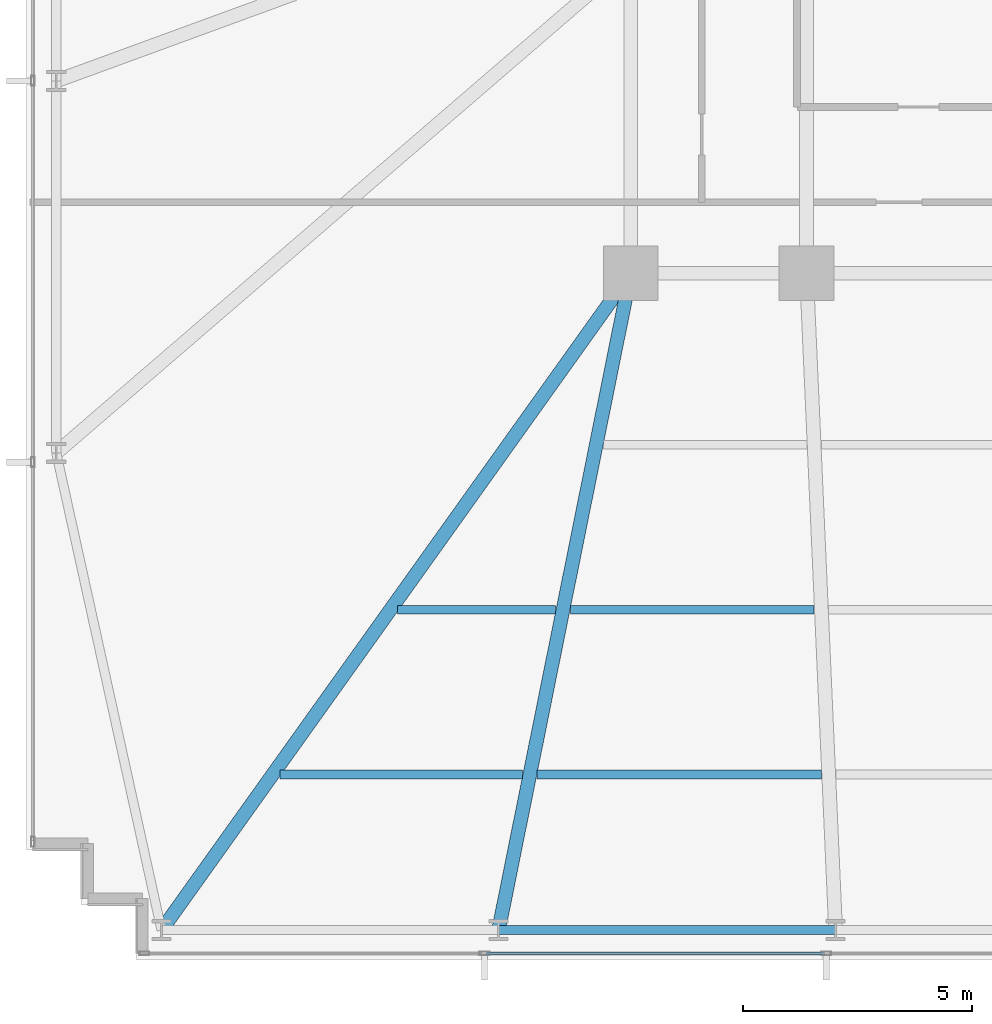
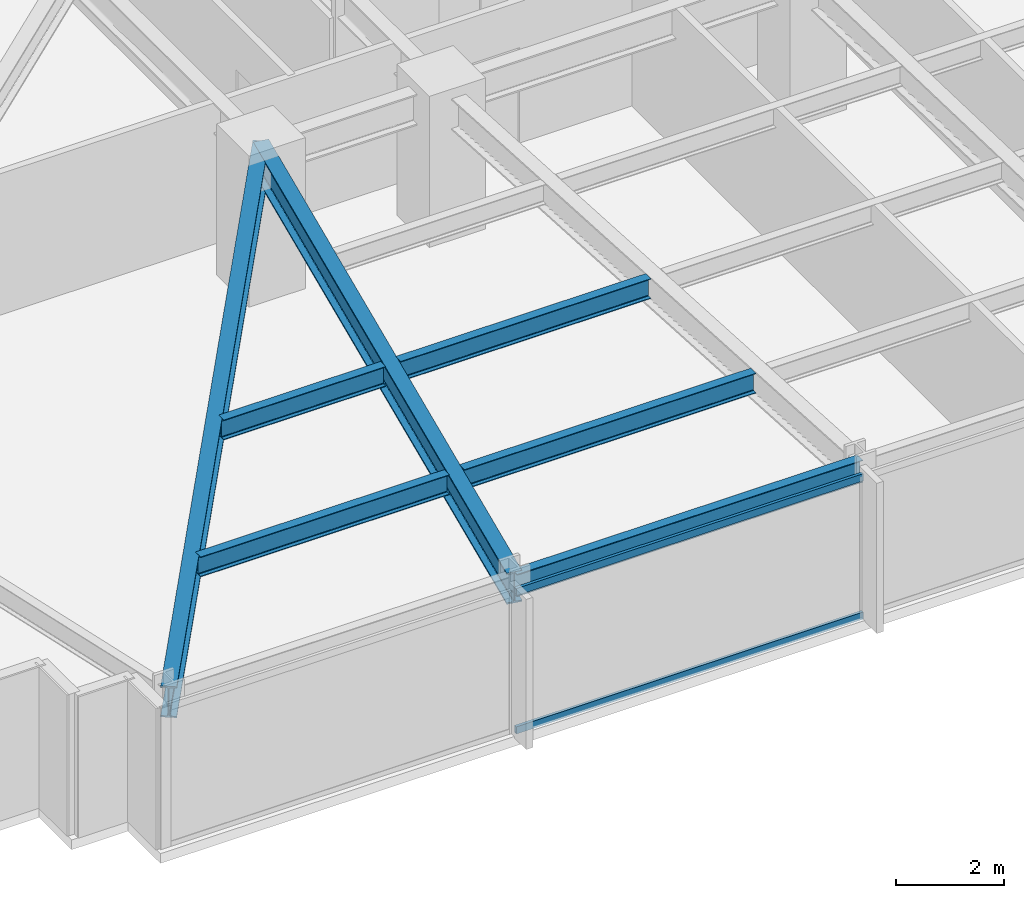
# One storey, part 3 of 33: 7 beams, 2 members, 1 element without a shape of its own.
"""IFC4 building model written with IfcOpenShell, lengths in metres."""

from ifc_helpers import new_model, si_unit, direction, frame, origin, origin_2d, place, context, subcontext, project, spatial, hollow_rectangle, i_section, extrude, material, material_profile, profile_set, type_object, element, aggregate, save


model = new_model("IFC4")

# Units and contexts
model_context = context("Model", 3, precision=1e-05, world=origin(), true_north=direction((0.0, 1.0)))
body_context = subcontext(model_context, "Body", "Model", "MODEL_VIEW")
ifc_project = project(units=[si_unit("LENGTHUNIT", "METRE"), si_unit("AREAUNIT", "SQUARE_METRE"), si_unit("VOLUMEUNIT", "CUBIC_METRE"), si_unit("PLANEANGLEUNIT", "RADIAN"), si_unit("MASSUNIT", "GRAM", prefix="KILO")], contexts=[model_context])

# Site, building, storey
site_placement = place(None, origin())
site = spatial("IfcSite", under=ifc_project, at=site_placement, CompositionType="ELEMENT")
building_placement = place(site_placement, origin())
building = spatial("IfcBuilding", under=site, at=building_placement, Name="Yelkora Congress Tower", CompositionType="ELEMENT")
storey_placement = place(building_placement, frame((0.0, 0.0, 54.199951171875)))
storey = spatial("IfcBuildingStorey", under=building, at=storey_placement, Name="L13", CompositionType="ELEMENT", Elevation=54.199951171875)

# Beams
ifc_material_1 = material(Name="Steel S355J2", Category="steel")
ifc_material_profile_1 = material_profile(ifc_material_1, i_section(OverallWidth=0.300048828125, OverallDepth=0.699951171875, WebThickness=0.01708984375, FlangeThickness=0.031982421875, FilletRadius=0.027099609375, at=origin_2d()), Name="HEB 700")
ifc_profile_set_1 = profile_set([ifc_material_profile_1], Name="Steel S355J2")
beam_type_1 = type_object("IfcBeamType", Name="BM-GIRD-HEB700", PredefinedType="BEAM", material=ifc_profile_set_1)
beam_1_placement = place(storey_placement, frame((8.949951171875, 10.85009765625, 2.830078125), z_axis=(0.581242122521, 0.813730664906, 0.0), x_axis=(-0.813730664906, 0.581242122521, 0.0)))
element("IfcBeam", 1, at=beam_1_placement, inside=storey, type_object=beam_type_1, Name="L13 Primary Frame Girder S01", PredefinedType="BEAM", context=body_context, shape_type="SweptSolid", body=[
    extrude(i_section(OverallWidth=0.300048828125, OverallDepth=0.699951171875, WebThickness=0.01708984375, FlangeThickness=0.031982421875, FilletRadius=0.027099609375, at=origin_2d()), origin(), (0.0, 0.0, 1.0), 17.634765625),
])
beam_2_placement = place(storey_placement, frame((16.3125, 10.85009765625, 2.830078125), z_axis=(0.197264295931, 0.980350344291, 0.0), x_axis=(-0.980350344291, 0.197264295931, 0.0)))
element("IfcBeam", 2, at=beam_2_placement, inside=storey, type_object=beam_type_1, Name="L13 Primary Frame Girder S02", PredefinedType="BEAM", context=body_context, shape_type="SweptSolid", body=[
    extrude(i_section(OverallWidth=0.300048828125, OverallDepth=0.699951171875, WebThickness=0.01708984375, FlangeThickness=0.031982421875, FilletRadius=0.027099609375, at=origin_2d()), origin(), (0.0, 0.0, 1.0), 14.637451171875),
])
ifc_material_profile_2 = material_profile(ifc_material_1, i_section(OverallWidth=0.18994140625, OverallDepth=0.449951171875, WebThickness=0.009521484375, FlangeThickness=0.0146484375, FilletRadius=0.02099609375, at=origin_2d()), Name="IPE 450")
ifc_profile_set_2 = profile_set([ifc_material_profile_2], Name="Steel S355J2")
beam_type_2 = type_object("IfcBeamType", Name="BM-JOIST-IPE450", PredefinedType="JOIST", material=ifc_profile_set_2)
beam_3_placement = place(storey_placement, frame((11.53857421875, 14.25, 2.955078125), z_axis=(1.0, 0.0, 0.0), x_axis=(0.0, 1.0, 0.0)))
element("IfcBeam", 3, at=beam_3_placement, inside=storey, type_object=beam_type_2, Name="L13 Composite Floor Joist 1", PredefinedType="JOIST", context=body_context, shape_type="SweptSolid", body=[
    extrude(i_section(OverallWidth=0.18994140625, OverallDepth=0.449951171875, WebThickness=0.009521484375, FlangeThickness=0.0146484375, FilletRadius=0.02099609375, at=origin_2d()), origin(), (0.0, 0.0, 1.0), 5.298095703125),
])
beam_4_placement = place(storey_placement, frame((17.156494140625, 14.25, 2.955078125), z_axis=(1.0, 0.0, 0.0), x_axis=(0.0, 1.0, 0.0)))
element("IfcBeam", 4, at=beam_4_placement, inside=storey, type_object=beam_type_2, Name="L13 Composite Floor Joist 2", PredefinedType="JOIST", context=body_context, shape_type="SweptSolid", body=[
    extrude(i_section(OverallWidth=0.18994140625, OverallDepth=0.449951171875, WebThickness=0.009521484375, FlangeThickness=0.0146484375, FilletRadius=0.02099609375, at=origin_2d()), origin(), (0.0, 0.0, 1.0), 6.2080078125),
])
beam_5_placement = place(storey_placement, frame((14.110107421875, 17.85009765625, 2.955078125), z_axis=(1.0, 0.0, 0.0), x_axis=(0.0, 1.0, 0.0)))
element("IfcBeam", 5, at=beam_5_placement, inside=storey, type_object=beam_type_2, Name="L13 Composite Floor Joist 9", PredefinedType="JOIST", context=body_context, shape_type="SweptSolid", body=[
    extrude(i_section(OverallWidth=0.18994140625, OverallDepth=0.449951171875, WebThickness=0.009521484375, FlangeThickness=0.0146484375, FilletRadius=0.02099609375, at=origin_2d()), origin(), (0.0, 0.0, 1.0), 3.450927734375),
])
beam_6_placement = place(storey_placement, frame((17.881103515625, 17.85009765625, 2.955078125), z_axis=(1.0, 0.0, 0.0), x_axis=(0.0, 1.0, 0.0)))
element("IfcBeam", 6, at=beam_6_placement, inside=storey, type_object=beam_type_2, Name="L13 Composite Floor Joist 10", PredefinedType="JOIST", context=body_context, shape_type="SweptSolid", body=[
    extrude(i_section(OverallWidth=0.18994140625, OverallDepth=0.449951171875, WebThickness=0.009521484375, FlangeThickness=0.0146484375, FilletRadius=0.02099609375, at=origin_2d()), origin(), (0.0, 0.0, 1.0), 5.323974609375),
])
ifc_material_profile_3 = material_profile(ifc_material_1, i_section(OverallWidth=0.199951171875, OverallDepth=0.5, WebThickness=0.01025390625, FlangeThickness=0.01611328125, FilletRadius=0.02099609375, at=origin_2d()), Name="IPE 500")
ifc_profile_set_3 = profile_set([ifc_material_profile_3], Name="Steel S355J2")
beam_type_3 = type_object("IfcBeamType", Name="BM-SPAN-IPE500", PredefinedType="SPANDREL", material=ifc_profile_set_3)
beam_7_placement = place(storey_placement, frame((16.3125, 10.85009765625, 2.929931640625), z_axis=(1.0, 0.0, 0.0), x_axis=(0.0, 1.0, 0.0)))
element("IfcBeam", 7, at=beam_7_placement, inside=storey, type_object=beam_type_3, Name="L13 Perimeter Beam 3", PredefinedType="SPANDREL", context=body_context, shape_type="SweptSolid", body=[
    extrude(i_section(OverallWidth=0.199951171875, OverallDepth=0.5, WebThickness=0.01025390625, FlangeThickness=0.01611328125, FilletRadius=0.02099609375, at=origin_2d()), origin(), (0.0, 0.0, 1.0), 7.362548828125),
])

# Curtain wall, members
ifc_material_2 = material(Name="Anodised aluminium and insulated glass", Category="aluminium")
curtain_wall_type = type_object("IfcCurtainWallType", Name="CW-SYS-B1", PredefinedType="NOTDEFINED", material=ifc_material_2)
curtain_wall_placement = place(storey_placement, origin())
curtain_wall = element("IfcCurtainWall", 8, at=curtain_wall_placement, inside=storey, type_object=curtain_wall_type, Name="L13 Unitised Curtain Wall 20", PredefinedType="NOTDEFINED")
ifc_material_3 = material(Name="Anodised aluminium 6063-T6", Category="aluminium")
ifc_material_profile_4 = material_profile(ifc_material_3, hollow_rectangle(XDim=0.06494140625, YDim=0.159912109375, WallThickness=0.00390625, at=origin_2d()), Name="ALU 65x160x4")
ifc_profile_set_4 = profile_set([ifc_material_profile_4], Name="Anodised aluminium 6063-T6")
member_type = type_object("IfcMemberType", Name="MEM-TR-B1", PredefinedType="USERDEFINED", material=ifc_profile_set_4)
member_1_placement = place(storey_placement, frame((23.4326171875, 10.340087890625, 0.032470703125), z_axis=(-1.0, 0.0, 0.0), x_axis=(0.0, -1.0, 0.0)))
member_1 = element("IfcMember", 9, at=member_1_placement, type_object=member_type, Name="CW-B1 transom 7.1", ObjectType="TRANSOM", PredefinedType="USERDEFINED", context=body_context, shape_type="SweptSolid", body=[
    extrude(hollow_rectangle(XDim=0.06494140625, YDim=0.159912109375, WallThickness=0.00390625, at=origin_2d()), origin(), (0.0, 0.0, 1.0), 7.39013671875),
])
member_2_placement = place(storey_placement, frame((23.4326171875, 10.340087890625, 3.1474609375), z_axis=(-1.0, 0.0, 0.0), x_axis=(0.0, -1.0, 0.0)))
member_2 = element("IfcMember", 10, at=member_2_placement, type_object=member_type, Name="CW-B1 transom 7.2", ObjectType="TRANSOM", PredefinedType="USERDEFINED", context=body_context, shape_type="SweptSolid", body=[
    extrude(hollow_rectangle(XDim=0.06494140625, YDim=0.159912109375, WallThickness=0.00390625, at=origin_2d()), origin(), (0.0, 0.0, 1.0), 7.39013671875),
])
aggregate(curtain_wall, [member_1, member_2])

save(model, "model.ifc")
